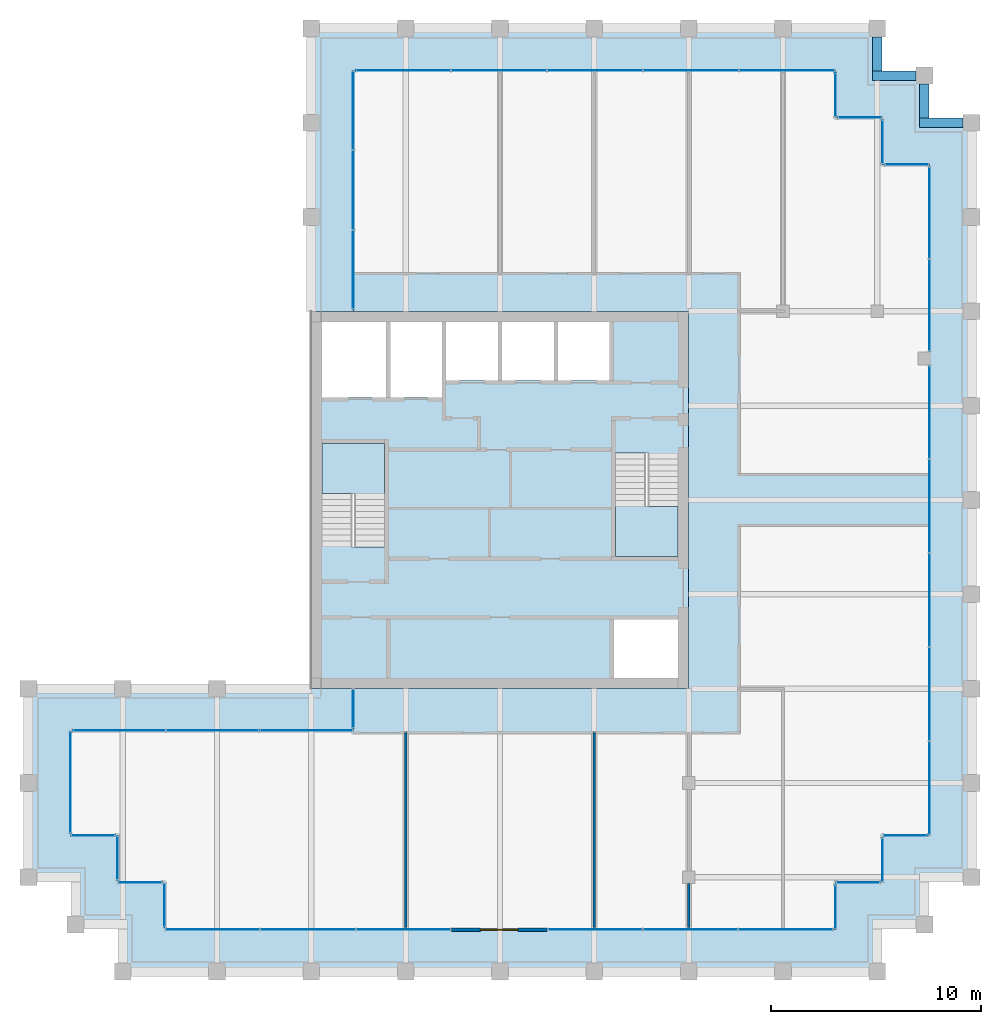
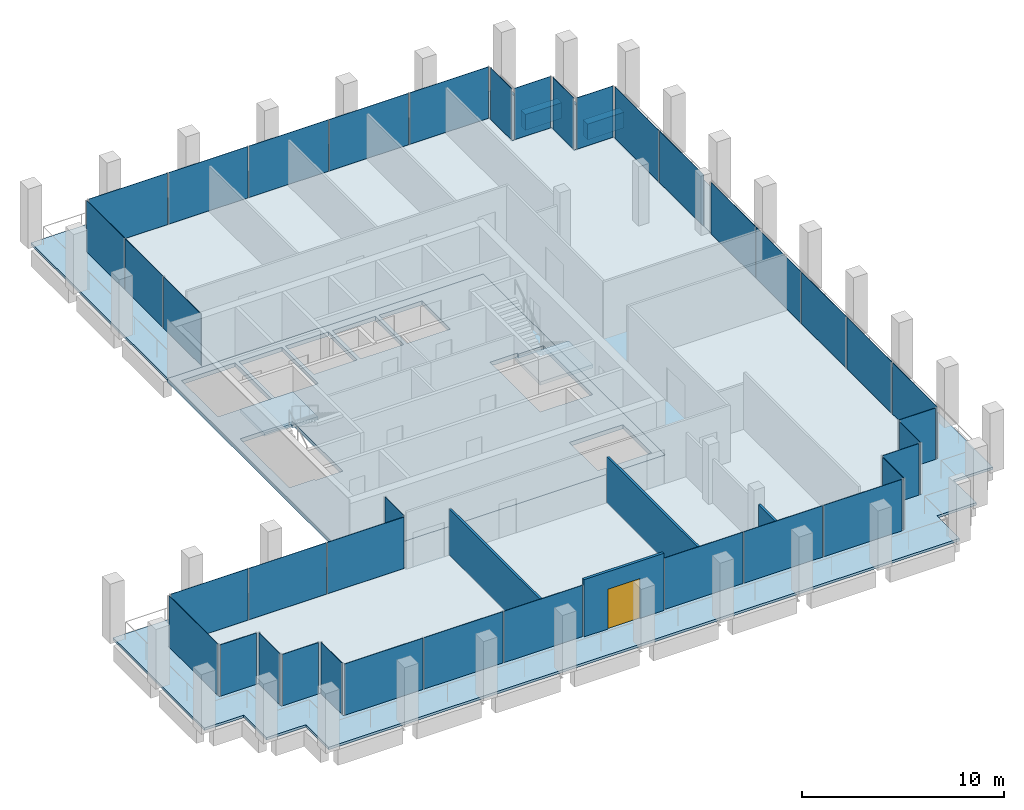
# One storey, part 27 of 30: 38 plates, 5 slabs, 4 beams, 4 walls, 1 door, 1 opening, 23 elements without a shape of their own.
"""IFC4 building model written with IfcOpenShell, lengths in metres."""

from ifc_helpers import new_model, si_unit, direction, frame, frame_2d, origin, origin_2d, place, context, subcontext, project, spatial, polyline, rectangle, outline, extrude, material, layer, layer_set, material_profile, profile_set, type_object, element, fill, aggregate, save


model = new_model("IFC4")

# Units and contexts
model_context = context("Model", 3, precision=1e-05, world=origin(), true_north=direction((0.0, 1.0)))
body_context = subcontext(model_context, "Body", "Model", "MODEL_VIEW")
ifc_project = project(units=[si_unit("LENGTHUNIT", "METRE"), si_unit("AREAUNIT", "SQUARE_METRE"), si_unit("VOLUMEUNIT", "CUBIC_METRE"), si_unit("PLANEANGLEUNIT", "RADIAN"), si_unit("MASSUNIT", "GRAM", prefix="KILO")], contexts=[model_context])

# Site, building, storey
site_placement = place(None, origin())
site = spatial("IfcSite", under=ifc_project, at=site_placement, CompositionType="ELEMENT")
building_placement = place(site_placement, origin())
building = spatial("IfcBuilding", under=site, at=building_placement, Name="Altepetl Exchange Towers", CompositionType="ELEMENT")
storey_placement = place(building_placement, frame((0.0, 0.0, 224.39990234375)))
storey = spatial("IfcBuildingStorey", under=building, at=storey_placement, Name="L57", CompositionType="ELEMENT", Elevation=224.39990234375)

# Beams
ifc_material_1 = material(Name="Concrete C50/60 precast with cantera rosa facing", Category="concrete")
ifc_material_profile = material_profile(ifc_material_1, rectangle(XDim=0.449951171875, YDim=0.949951171875, at=origin_2d()), Name="450 x 950")
ifc_profile_set = profile_set([ifc_material_profile], Name="Concrete C50/60 precast with cantera rosa facing")
beam_type = type_object("IfcBeamType", Name="Spandrel beam 450x950 cantera rosa", PredefinedType="SPANDREL", material=ifc_profile_set)
beam_1_placement = place(storey_placement, frame((71.60009765625, 67.5, -0.625), z_axis=(-1.0, 0.0, 0.0), x_axis=(0.0, -1.0, 0.0)))
element("IfcBeam", 1, at=beam_1_placement, inside=storey, type_object=beam_type, Name="sp:A:L57:020", PredefinedType="SPANDREL", context=body_context, shape_type="SweptSolid", body=[
    extrude(rectangle(XDim=0.449951171875, YDim=0.949951171875, at=origin_2d()), origin(), (0.0, 0.0, 1.0), 2.0751953125),
])
beam_2_placement = place(storey_placement, frame((69.75, 67.72509765625, -0.625), z_axis=(0.0, 1.0, 0.0), x_axis=(-1.0, 0.0, 0.0)))
element("IfcBeam", 2, at=beam_2_placement, inside=storey, type_object=beam_type, Name="sp:A:L57:021", PredefinedType="SPANDREL", context=body_context, shape_type="SweptSolid", body=[
    extrude(rectangle(XDim=0.449951171875, YDim=0.949951171875, at=origin_2d()), origin(), (0.0, 0.0, 1.0), 1.625),
])
beam_3_placement = place(storey_placement, frame((69.35009765625, 69.75, -0.625), z_axis=(-1.0, 0.0, 0.0), x_axis=(0.0, -1.0, 0.0)))
element("IfcBeam", 3, at=beam_3_placement, inside=storey, type_object=beam_type, Name="sp:A:L57:022", PredefinedType="SPANDREL", context=body_context, shape_type="SweptSolid", body=[
    extrude(rectangle(XDim=0.449951171875, YDim=0.949951171875, at=origin_2d()), origin(), (0.0, 0.0, 1.0), 2.0751953125),
])
beam_4_placement = place(storey_placement, frame((67.5, 69.97509765625, -0.625), z_axis=(0.0, 1.0, 0.0), x_axis=(-1.0, 0.0, 0.0)))
element("IfcBeam", 4, at=beam_4_placement, inside=storey, type_object=beam_type, Name="sp:A:L57:023", PredefinedType="SPANDREL", context=body_context, shape_type="SweptSolid", body=[
    extrude(rectangle(XDim=0.449951171875, YDim=0.949951171875, at=origin_2d()), origin(), (0.0, 0.0, 1.0), 1.625),
])

# Slabs
ifc_material_2 = material(Name="Concrete C40/50", Category="concrete")
ifc_layer_1 = layer(ifc_material_2, 0.14990234375)
ifc_layer_set_1 = layer_set([ifc_layer_1], Name="Concrete C40/50")
slab_type_1 = type_object("IfcSlabType", Name="Composite floor slab 150", PredefinedType="FLOOR", material=ifc_layer_set_1)
slab_1_placement = place(storey_placement, frame((0.0, 0.0, -0.14990234375)))
element("IfcSlab", 5, at=slab_1_placement, inside=storey, type_object=slab_type_1, Name="slab:A:L57:strip0", PredefinedType="FLOOR", context=body_context, shape_type="SweptSolid", body=[
    extrude(outline(polyline([(42.5, 70.0), (42.5, 58.5), (58.5, 58.5), (58.5, 40.5), (42.5, 40.5), (42.5, 38.5), (29.0, 38.5), (29.0, 33.5), (31.25, 33.5), (31.25, 31.25), (33.5, 31.25), (33.5, 29.0), (65.5, 29.0), (65.5, 31.25), (67.75, 31.25), (67.75, 33.5), (70.0, 33.5), (70.0, 65.5), (67.75, 65.5), (67.75, 67.75), (65.5, 67.75), (65.5, 70.0), (42.5, 70.0)])), origin(), (0.0, 0.0, 1.0), 0.14990234375),
])
ifc_layer_2 = layer(ifc_material_2, 0.25)
ifc_layer_set_2 = layer_set([ifc_layer_2], Name="Concrete C40/50")
slab_type_2 = type_object("IfcSlabType", Name="Core floor slab 250", PredefinedType="FLOOR", material=ifc_layer_set_2)
slab_2_placement = place(storey_placement, frame((0.0, 0.0, -0.25)))
element("IfcSlab", 6, at=slab_2_placement, inside=storey, type_object=slab_type_2, Name="slab:A:L57:core0", PredefinedType="FLOOR", context=body_context, shape_type="SweptSolid", body=[
    extrude(outline(polyline([(40.5, 40.5), (58.5, 40.5), (58.5, 58.5), (40.5, 58.5), (40.5, 40.5)]), holes=[polyline([(54.93310546875, 43.800048828125), (58.0, 43.800048828125), (58.0, 41.0), (54.93310546875, 41.0), (54.93310546875, 43.800048828125)]), polyline([(55.0, 51.7490234375), (56.550048828125, 51.7490234375), (56.550048828125, 51.64990234375), (58.0, 51.64990234375), (58.0, 46.800048828125), (55.0, 46.800048828125), (55.0, 51.7490234375)]), polyline([(44.0, 47.2509765625), (42.449951171875, 47.2509765625), (42.449951171875, 47.35009765625), (41.0, 47.35009765625), (41.0, 52.199951171875), (44.0, 52.199951171875), (44.0, 47.2509765625)]), polyline([(41.0, 58.0), (44.06689453125, 58.0), (44.06689453125, 54.39990234375), (41.0, 54.39990234375), (41.0, 58.0)]), polyline([(44.26708984375, 58.0), (46.73291015625, 58.0), (46.73291015625, 54.39990234375), (44.26708984375, 54.39990234375), (44.26708984375, 58.0)]), polyline([(46.93310546875, 58.0), (49.39990234375, 58.0), (49.39990234375, 55.199951171875), (46.93310546875, 55.199951171875), (46.93310546875, 58.0)]), polyline([(49.60009765625, 58.0), (52.06689453125, 58.0), (52.06689453125, 55.199951171875), (49.60009765625, 55.199951171875), (49.60009765625, 58.0)]), polyline([(52.26708984375, 58.0), (54.73291015625, 58.0), (54.73291015625, 55.199951171875), (52.26708984375, 55.199951171875), (52.26708984375, 58.0)])]), origin(), (0.0, 0.0, 1.0), 0.25),
])

# Curtain wall, plate
ifc_material_3 = material(Name="Aluminium 6063-T6 glazing", Category="aluminium")
curtain_wall_type = type_object("IfcCurtainWallType", Name="Loggia glazing system", PredefinedType="NOTDEFINED", material=ifc_material_3)
curtain_wall_1_placement = place(storey_placement, origin())
curtain_wall_1 = element("IfcCurtainWall", 7, at=curtain_wall_1_placement, inside=storey, type_object=curtain_wall_type, Name="CW1 run", PredefinedType="NOTDEFINED")
ifc_material_4 = material(Name="Glass 6-16-6 low emissivity", Category="glass")
ifc_layer_3 = layer(ifc_material_4, 0.028076171875)
ifc_layer_set_3 = layer_set([ifc_layer_3], Name="Glass 6-16-6 low emissivity")
plate_type = type_object("IfcPlateType", Name="Glass panel 28 double glazed", PredefinedType="CURTAIN_PANEL", material=ifc_layer_set_3)
plate_1_placement = place(storey_placement, frame((42.5, 39.53759765625, 0.0), z_axis=(0.0, 0.0, 1.0), x_axis=(0.0, -1.0, 0.0)))
plate_1 = element("IfcPlate", 8, at=plate_1_placement, type_object=plate_type, Name="GP1 panel", PredefinedType="CURTAIN_PANEL", context=body_context, shape_type="SweptSolid", body=[
    extrude(rectangle(XDim=1.804931640625, YDim=0.028076171875, at=origin_2d()), origin(), (0.0, 0.0, 1.0), 3.10009765625),
])
aggregate(curtain_wall_1, [plate_1])

# Curtain wall, plates
curtain_wall_2_placement = place(storey_placement, origin())
curtain_wall_2 = element("IfcCurtainWall", 9, at=curtain_wall_2_placement, inside=storey, type_object=curtain_wall_type, Name="CW1 run", PredefinedType="NOTDEFINED")
plate_2_placement = place(storey_placement, frame((40.24755859375, 38.5, 0.0), z_axis=(0.0, 0.0, 1.0), x_axis=(-1.0, 0.0, 0.0)))
plate_2 = element("IfcPlate", 10, at=plate_2_placement, type_object=plate_type, Name="GP1 panel", PredefinedType="CURTAIN_PANEL", context=body_context, shape_type="SweptSolid", body=[
    extrude(rectangle(XDim=4.385009765625, YDim=0.028076171875, at=origin_2d()), origin(), (0.0, 0.0, 1.0), 3.10009765625),
])
plate_3_placement = place(storey_placement, frame((35.78759765625, 38.5, 0.0), z_axis=(0.0, 0.0, 1.0), x_axis=(-1.0, 0.0, 0.0)))
plate_3 = element("IfcPlate", 11, at=plate_3_placement, type_object=plate_type, Name="GP1 panel", PredefinedType="CURTAIN_PANEL", context=body_context, shape_type="SweptSolid", body=[
    extrude(rectangle(XDim=4.4150390625, YDim=0.028076171875, at=origin_2d()), origin(), (0.0, 0.0, 1.0), 3.10009765625),
])
plate_4_placement = place(storey_placement, frame((31.327392578125, 38.5, 0.0), z_axis=(0.0, 0.0, 1.0), x_axis=(-1.0, 0.0, 0.0)))
plate_4 = element("IfcPlate", 12, at=plate_4_placement, type_object=plate_type, Name="GP1 panel", PredefinedType="CURTAIN_PANEL", context=body_context, shape_type="SweptSolid", body=[
    extrude(rectangle(XDim=4.385009765625, YDim=0.028076171875, at=origin_2d()), origin(), (0.0, 0.0, 1.0), 3.10009765625),
])
aggregate(curtain_wall_2, [plate_2, plate_3, plate_4])

# Curtain wall, plate
curtain_wall_3_placement = place(storey_placement, origin())
curtain_wall_3 = element("IfcCurtainWall", 13, at=curtain_wall_3_placement, inside=storey, type_object=curtain_wall_type, Name="CW1 run", PredefinedType="NOTDEFINED")
plate_5_placement = place(storey_placement, frame((29.0, 36.03759765625, 0.0), z_axis=(0.0, 0.0, 1.0), x_axis=(0.0, -1.0, 0.0)))
plate_5 = element("IfcPlate", 14, at=plate_5_placement, type_object=plate_type, Name="GP1 panel", PredefinedType="CURTAIN_PANEL", context=body_context, shape_type="SweptSolid", body=[
    extrude(rectangle(XDim=4.804931640625, YDim=0.028076171875, at=origin_2d()), origin(), (0.0, 0.0, 1.0), 3.10009765625),
])
aggregate(curtain_wall_3, [plate_5])

curtain_wall_4_placement = place(storey_placement, origin())
curtain_wall_4 = element("IfcCurtainWall", 15, at=curtain_wall_4_placement, inside=storey, type_object=curtain_wall_type, Name="CW1 run", PredefinedType="NOTDEFINED")
plate_6_placement = place(storey_placement, frame((30.08740234375, 33.5, 0.0)))
plate_6 = element("IfcPlate", 16, at=plate_6_placement, type_object=plate_type, Name="GP1 panel", PredefinedType="CURTAIN_PANEL", context=body_context, shape_type="SweptSolid", body=[
    extrude(rectangle(XDim=2.054931640625, YDim=0.028076171875, at=origin_2d()), origin(), (0.0, 0.0, 1.0), 3.10009765625),
])
aggregate(curtain_wall_4, [plate_6])

curtain_wall_5_placement = place(storey_placement, origin())
curtain_wall_5 = element("IfcCurtainWall", 17, at=curtain_wall_5_placement, inside=storey, type_object=curtain_wall_type, Name="CW1 run", PredefinedType="NOTDEFINED")
plate_7_placement = place(storey_placement, frame((31.25, 32.41259765625, 0.0), z_axis=(0.0, 0.0, 1.0), x_axis=(0.0, -1.0, 0.0)))
plate_7 = element("IfcPlate", 18, at=plate_7_placement, type_object=plate_type, Name="GP1 panel", PredefinedType="CURTAIN_PANEL", context=body_context, shape_type="SweptSolid", body=[
    extrude(rectangle(XDim=2.054931640625, YDim=0.028076171875, at=origin_2d()), origin(), (0.0, 0.0, 1.0), 3.10009765625),
])
aggregate(curtain_wall_5, [plate_7])

curtain_wall_6_placement = place(storey_placement, origin())
curtain_wall_6 = element("IfcCurtainWall", 19, at=curtain_wall_6_placement, inside=storey, type_object=curtain_wall_type, Name="CW1 run", PredefinedType="NOTDEFINED")
plate_8_placement = place(storey_placement, frame((32.33740234375, 31.25, 0.0)))
plate_8 = element("IfcPlate", 20, at=plate_8_placement, type_object=plate_type, Name="GP1 panel", PredefinedType="CURTAIN_PANEL", context=body_context, shape_type="SweptSolid", body=[
    extrude(rectangle(XDim=2.054931640625, YDim=0.028076171875, at=origin_2d()), origin(), (0.0, 0.0, 1.0), 3.10009765625),
])
aggregate(curtain_wall_6, [plate_8])

curtain_wall_7_placement = place(storey_placement, origin())
curtain_wall_7 = element("IfcCurtainWall", 21, at=curtain_wall_7_placement, inside=storey, type_object=curtain_wall_type, Name="CW1 run", PredefinedType="NOTDEFINED")
plate_9_placement = place(storey_placement, frame((33.5, 30.16259765625, 0.0), z_axis=(0.0, 0.0, 1.0), x_axis=(0.0, -1.0, 0.0)))
plate_9 = element("IfcPlate", 22, at=plate_9_placement, type_object=plate_type, Name="GP1 panel", PredefinedType="CURTAIN_PANEL", context=body_context, shape_type="SweptSolid", body=[
    extrude(rectangle(XDim=2.054931640625, YDim=0.028076171875, at=origin_2d()), origin(), (0.0, 0.0, 1.0), 3.10009765625),
])
aggregate(curtain_wall_7, [plate_9])

# Curtain wall, plates
curtain_wall_8_placement = place(storey_placement, origin())
curtain_wall_8 = element("IfcCurtainWall", 23, at=curtain_wall_8_placement, inside=storey, type_object=curtain_wall_type, Name="CW1 run", PredefinedType="NOTDEFINED")
plate_10_placement = place(storey_placement, frame((35.79541015625, 29.0, 0.0)))
plate_10 = element("IfcPlate", 24, at=plate_10_placement, type_object=plate_type, Name="GP1 panel", PredefinedType="CURTAIN_PANEL", context=body_context, shape_type="SweptSolid", body=[
    extrude(rectangle(XDim=4.470703125, YDim=0.028076171875, at=origin_2d()), origin(), (0.0, 0.0, 1.0), 3.10009765625),
])
plate_11_placement = place(storey_placement, frame((40.341064453125, 29.0, 0.0)))
plate_11 = element("IfcPlate", 25, at=plate_11_placement, type_object=plate_type, Name="GP1 panel", PredefinedType="CURTAIN_PANEL", context=body_context, shape_type="SweptSolid", body=[
    extrude(rectangle(XDim=4.500732421875, YDim=0.028076171875, at=origin_2d()), origin(), (0.0, 0.0, 1.0), 3.10009765625),
])
plate_12_placement = place(storey_placement, frame((44.88671875, 29.0, 0.0)))
plate_12 = element("IfcPlate", 26, at=plate_12_placement, type_object=plate_type, Name="GP1 panel", PredefinedType="CURTAIN_PANEL", context=body_context, shape_type="SweptSolid", body=[
    extrude(rectangle(XDim=4.470703125, YDim=0.028076171875, at=origin_2d()), origin(), (0.0, 0.0, 1.0), 3.10009765625),
])
aggregate(curtain_wall_8, [plate_10, plate_11, plate_12])

curtain_wall_9_placement = place(storey_placement, origin())
curtain_wall_9 = element("IfcCurtainWall", 27, at=curtain_wall_9_placement, inside=storey, type_object=curtain_wall_type, Name="CW1 run", PredefinedType="NOTDEFINED")
plate_13_placement = place(storey_placement, frame((54.038330078125, 29.0, 0.0)))
plate_13 = element("IfcPlate", 28, at=plate_13_placement, type_object=plate_type, Name="GP1 panel", PredefinedType="CURTAIN_PANEL", context=body_context, shape_type="SweptSolid", body=[
    extrude(rectangle(XDim=4.470703125, YDim=0.028076171875, at=origin_2d()), origin(), (0.0, 0.0, 1.0), 3.10009765625),
])
plate_14_placement = place(storey_placement, frame((58.583984375, 29.0, 0.0)))
plate_14 = element("IfcPlate", 29, at=plate_14_placement, type_object=plate_type, Name="GP1 panel", PredefinedType="CURTAIN_PANEL", context=body_context, shape_type="SweptSolid", body=[
    extrude(rectangle(XDim=4.500732421875, YDim=0.028076171875, at=origin_2d()), origin(), (0.0, 0.0, 1.0), 3.10009765625),
])
plate_15_placement = place(storey_placement, frame((63.129638671875, 29.0, 0.0)))
plate_15 = element("IfcPlate", 30, at=plate_15_placement, type_object=plate_type, Name="GP1 panel", PredefinedType="CURTAIN_PANEL", context=body_context, shape_type="SweptSolid", body=[
    extrude(rectangle(XDim=4.470703125, YDim=0.028076171875, at=origin_2d()), origin(), (0.0, 0.0, 1.0), 3.10009765625),
])
aggregate(curtain_wall_9, [plate_13, plate_14, plate_15])

# Curtain wall, plate
curtain_wall_10_placement = place(storey_placement, origin())
curtain_wall_10 = element("IfcCurtainWall", 31, at=curtain_wall_10_placement, inside=storey, type_object=curtain_wall_type, Name="CW1 run", PredefinedType="NOTDEFINED")
plate_16_placement = place(storey_placement, frame((65.5, 30.08740234375, 0.0), z_axis=(0.0, 0.0, 1.0), x_axis=(0.0, 1.0, 0.0)))
plate_16 = element("IfcPlate", 32, at=plate_16_placement, type_object=plate_type, Name="GP1 panel", PredefinedType="CURTAIN_PANEL", context=body_context, shape_type="SweptSolid", body=[
    extrude(rectangle(XDim=2.054931640625, YDim=0.028076171875, at=origin_2d()), origin(), (0.0, 0.0, 1.0), 3.10009765625),
])
aggregate(curtain_wall_10, [plate_16])

curtain_wall_11_placement = place(storey_placement, origin())
curtain_wall_11 = element("IfcCurtainWall", 33, at=curtain_wall_11_placement, inside=storey, type_object=curtain_wall_type, Name="CW1 run", PredefinedType="NOTDEFINED")
plate_17_placement = place(storey_placement, frame((66.58740234375, 31.25, 0.0)))
plate_17 = element("IfcPlate", 34, at=plate_17_placement, type_object=plate_type, Name="GP1 panel", PredefinedType="CURTAIN_PANEL", context=body_context, shape_type="SweptSolid", body=[
    extrude(rectangle(XDim=2.054931640625, YDim=0.028076171875, at=origin_2d()), origin(), (0.0, 0.0, 1.0), 3.10009765625),
])
aggregate(curtain_wall_11, [plate_17])

curtain_wall_12_placement = place(storey_placement, origin())
curtain_wall_12 = element("IfcCurtainWall", 35, at=curtain_wall_12_placement, inside=storey, type_object=curtain_wall_type, Name="CW1 run", PredefinedType="NOTDEFINED")
plate_18_placement = place(storey_placement, frame((67.75, 32.33740234375, 0.0), z_axis=(0.0, 0.0, 1.0), x_axis=(0.0, 1.0, 0.0)))
plate_18 = element("IfcPlate", 36, at=plate_18_placement, type_object=plate_type, Name="GP1 panel", PredefinedType="CURTAIN_PANEL", context=body_context, shape_type="SweptSolid", body=[
    extrude(rectangle(XDim=2.054931640625, YDim=0.028076171875, at=origin_2d()), origin(), (0.0, 0.0, 1.0), 3.10009765625),
])
aggregate(curtain_wall_12, [plate_18])

curtain_wall_13_placement = place(storey_placement, origin())
curtain_wall_13 = element("IfcCurtainWall", 37, at=curtain_wall_13_placement, inside=storey, type_object=curtain_wall_type, Name="CW1 run", PredefinedType="NOTDEFINED")
plate_19_placement = place(storey_placement, frame((68.83740234375, 33.5, 0.0)))
plate_19 = element("IfcPlate", 38, at=plate_19_placement, type_object=plate_type, Name="GP1 panel", PredefinedType="CURTAIN_PANEL", context=body_context, shape_type="SweptSolid", body=[
    extrude(rectangle(XDim=2.054931640625, YDim=0.028076171875, at=origin_2d()), origin(), (0.0, 0.0, 1.0), 3.10009765625),
])
aggregate(curtain_wall_13, [plate_19])

# Curtain wall, plates
curtain_wall_14_placement = place(storey_placement, origin())
curtain_wall_14 = element("IfcCurtainWall", 39, at=curtain_wall_14_placement, inside=storey, type_object=curtain_wall_type, Name="CW1 run", PredefinedType="NOTDEFINED")
plate_20_placement = place(storey_placement, frame((70.0, 35.758056640625, 0.0), z_axis=(0.0, 0.0, 1.0), x_axis=(0.0, 1.0, 0.0)))
plate_20 = element("IfcPlate", 40, at=plate_20_placement, type_object=plate_type, Name="GP1 panel", PredefinedType="CURTAIN_PANEL", context=body_context, shape_type="SweptSolid", body=[
    extrude(rectangle(XDim=4.39599609375, YDim=0.028076171875, at=origin_2d()), origin(), (0.0, 0.0, 1.0), 3.10009765625),
])
plate_21_placement = place(storey_placement, frame((70.0, 40.22900390625, 0.0), z_axis=(0.0, 0.0, 1.0), x_axis=(0.0, 1.0, 0.0)))
plate_21 = element("IfcPlate", 41, at=plate_21_placement, type_object=plate_type, Name="GP1 panel", PredefinedType="CURTAIN_PANEL", context=body_context, shape_type="SweptSolid", body=[
    extrude(rectangle(XDim=4.426025390625, YDim=0.028076171875, at=origin_2d()), origin(), (0.0, 0.0, 1.0), 3.10009765625),
])
plate_22_placement = place(storey_placement, frame((70.0, 44.715087890625, 0.0), z_axis=(0.0, 0.0, 1.0), x_axis=(0.0, 1.0, 0.0)))
plate_22 = element("IfcPlate", 42, at=plate_22_placement, type_object=plate_type, Name="GP1 panel", PredefinedType="CURTAIN_PANEL", context=body_context, shape_type="SweptSolid", body=[
    extrude(rectangle(XDim=4.426025390625, YDim=0.028076171875, at=origin_2d()), origin(), (0.0, 0.0, 1.0), 3.10009765625),
])
plate_23_placement = place(storey_placement, frame((70.0, 49.200927734375, 0.0), z_axis=(0.0, 0.0, 1.0), x_axis=(0.0, 1.0, 0.0)))
plate_23 = element("IfcPlate", 43, at=plate_23_placement, type_object=plate_type, Name="GP1 panel", PredefinedType="CURTAIN_PANEL", context=body_context, shape_type="SweptSolid", body=[
    extrude(rectangle(XDim=4.426025390625, YDim=0.028076171875, at=origin_2d()), origin(), (0.0, 0.0, 1.0), 3.10009765625),
])
plate_24_placement = place(storey_placement, frame((70.0, 53.672119140625, 0.0), z_axis=(0.0, 0.0, 1.0), x_axis=(0.0, 1.0, 0.0)))
plate_24 = element("IfcPlate", 44, at=plate_24_placement, type_object=plate_type, Name="GP1 panel", PredefinedType="CURTAIN_PANEL", context=body_context, shape_type="SweptSolid", body=[
    extrude(rectangle(XDim=4.39599609375, YDim=0.028076171875, at=origin_2d()), origin(), (0.0, 0.0, 1.0), 3.10009765625),
])
aggregate(curtain_wall_14, [plate_20, plate_21, plate_22, plate_23, plate_24])

curtain_wall_15_placement = place(storey_placement, origin())
curtain_wall_15 = element("IfcCurtainWall", 45, at=curtain_wall_15_placement, inside=storey, type_object=curtain_wall_type, Name="CW1 run", PredefinedType="NOTDEFINED")
plate_25_placement = place(storey_placement, frame((70.0, 58.798828125, 0.0), z_axis=(0.0, 0.0, 1.0), x_axis=(0.0, 1.0, 0.0)))
plate_25 = element("IfcPlate", 46, at=plate_25_placement, type_object=plate_type, Name="GP1 panel", PredefinedType="CURTAIN_PANEL", context=body_context, shape_type="SweptSolid", body=[
    extrude(rectangle(XDim=4.33740234375, YDim=0.028076171875, at=origin_2d()), origin(), (0.0, 0.0, 1.0), 3.10009765625),
])
plate_26_placement = place(storey_placement, frame((70.0, 63.1962890625, 0.0), z_axis=(0.0, 0.0, 1.0), x_axis=(0.0, 1.0, 0.0)))
plate_26 = element("IfcPlate", 47, at=plate_26_placement, type_object=plate_type, Name="GP1 panel", PredefinedType="CURTAIN_PANEL", context=body_context, shape_type="SweptSolid", body=[
    extrude(rectangle(XDim=4.33740234375, YDim=0.028076171875, at=origin_2d()), origin(), (0.0, 0.0, 1.0), 3.10009765625),
])
aggregate(curtain_wall_15, [plate_25, plate_26])

# Curtain wall, plate
curtain_wall_16_placement = place(storey_placement, origin())
curtain_wall_16 = element("IfcCurtainWall", 48, at=curtain_wall_16_placement, inside=storey, type_object=curtain_wall_type, Name="CW1 run", PredefinedType="NOTDEFINED")
plate_27_placement = place(storey_placement, frame((68.91259765625, 65.5, 0.0), z_axis=(0.0, 0.0, 1.0), x_axis=(-1.0, 0.0, 0.0)))
plate_27 = element("IfcPlate", 49, at=plate_27_placement, type_object=plate_type, Name="GP1 panel", PredefinedType="CURTAIN_PANEL", context=body_context, shape_type="SweptSolid", body=[
    extrude(rectangle(XDim=2.054931640625, YDim=0.028076171875, at=origin_2d()), origin(), (0.0, 0.0, 1.0), 3.10009765625),
])
aggregate(curtain_wall_16, [plate_27])

curtain_wall_17_placement = place(storey_placement, origin())
curtain_wall_17 = element("IfcCurtainWall", 50, at=curtain_wall_17_placement, inside=storey, type_object=curtain_wall_type, Name="CW1 run", PredefinedType="NOTDEFINED")
plate_28_placement = place(storey_placement, frame((67.75, 66.58740234375, 0.0), z_axis=(0.0, 0.0, 1.0), x_axis=(0.0, 1.0, 0.0)))
plate_28 = element("IfcPlate", 51, at=plate_28_placement, type_object=plate_type, Name="GP1 panel", PredefinedType="CURTAIN_PANEL", context=body_context, shape_type="SweptSolid", body=[
    extrude(rectangle(XDim=2.054931640625, YDim=0.028076171875, at=origin_2d()), origin(), (0.0, 0.0, 1.0), 3.10009765625),
])
aggregate(curtain_wall_17, [plate_28])

curtain_wall_18_placement = place(storey_placement, origin())
curtain_wall_18 = element("IfcCurtainWall", 52, at=curtain_wall_18_placement, inside=storey, type_object=curtain_wall_type, Name="CW1 run", PredefinedType="NOTDEFINED")
plate_29_placement = place(storey_placement, frame((66.66259765625, 67.75, 0.0), z_axis=(0.0, 0.0, 1.0), x_axis=(-1.0, 0.0, 0.0)))
plate_29 = element("IfcPlate", 53, at=plate_29_placement, type_object=plate_type, Name="GP1 panel", PredefinedType="CURTAIN_PANEL", context=body_context, shape_type="SweptSolid", body=[
    extrude(rectangle(XDim=2.054931640625, YDim=0.028076171875, at=origin_2d()), origin(), (0.0, 0.0, 1.0), 3.10009765625),
])
aggregate(curtain_wall_18, [plate_29])

curtain_wall_19_placement = place(storey_placement, origin())
curtain_wall_19 = element("IfcCurtainWall", 54, at=curtain_wall_19_placement, inside=storey, type_object=curtain_wall_type, Name="CW1 run", PredefinedType="NOTDEFINED")
plate_30_placement = place(storey_placement, frame((65.5, 68.83740234375, 0.0), z_axis=(0.0, 0.0, 1.0), x_axis=(0.0, 1.0, 0.0)))
plate_30 = element("IfcPlate", 55, at=plate_30_placement, type_object=plate_type, Name="GP1 panel", PredefinedType="CURTAIN_PANEL", context=body_context, shape_type="SweptSolid", body=[
    extrude(rectangle(XDim=2.054931640625, YDim=0.028076171875, at=origin_2d()), origin(), (0.0, 0.0, 1.0), 3.10009765625),
])
aggregate(curtain_wall_19, [plate_30])

# Curtain wall, plates
curtain_wall_20_placement = place(storey_placement, origin())
curtain_wall_20 = element("IfcCurtainWall", 56, at=curtain_wall_20_placement, inside=storey, type_object=curtain_wall_type, Name="CW1 run", PredefinedType="NOTDEFINED")
plate_31_placement = place(storey_placement, frame((63.1923828125, 70.0, 0.0), z_axis=(0.0, 0.0, 1.0), x_axis=(-1.0, 0.0, 0.0)))
plate_31 = element("IfcPlate", 57, at=plate_31_placement, type_object=plate_type, Name="GP1 panel", PredefinedType="CURTAIN_PANEL", context=body_context, shape_type="SweptSolid", body=[
    extrude(rectangle(XDim=4.4951171875, YDim=0.028076171875, at=origin_2d()), origin(), (0.0, 0.0, 1.0), 3.10009765625),
])
plate_32_placement = place(storey_placement, frame((58.62255859375, 70.0, 0.0), z_axis=(0.0, 0.0, 1.0), x_axis=(-1.0, 0.0, 0.0)))
plate_32 = element("IfcPlate", 58, at=plate_32_placement, type_object=plate_type, Name="GP1 panel", PredefinedType="CURTAIN_PANEL", context=body_context, shape_type="SweptSolid", body=[
    extrude(rectangle(XDim=4.52490234375, YDim=0.028076171875, at=origin_2d()), origin(), (0.0, 0.0, 1.0), 3.10009765625),
])
plate_33_placement = place(storey_placement, frame((54.03759765625, 70.0, 0.0), z_axis=(0.0, 0.0, 1.0), x_axis=(-1.0, 0.0, 0.0)))
plate_33 = element("IfcPlate", 59, at=plate_33_placement, type_object=plate_type, Name="GP1 panel", PredefinedType="CURTAIN_PANEL", context=body_context, shape_type="SweptSolid", body=[
    extrude(rectangle(XDim=4.52490234375, YDim=0.028076171875, at=origin_2d()), origin(), (0.0, 0.0, 1.0), 3.10009765625),
])
plate_34_placement = place(storey_placement, frame((49.452392578125, 70.0, 0.0), z_axis=(0.0, 0.0, 1.0), x_axis=(-1.0, 0.0, 0.0)))
plate_34 = element("IfcPlate", 60, at=plate_34_placement, type_object=plate_type, Name="GP1 panel", PredefinedType="CURTAIN_PANEL", context=body_context, shape_type="SweptSolid", body=[
    extrude(rectangle(XDim=4.52490234375, YDim=0.028076171875, at=origin_2d()), origin(), (0.0, 0.0, 1.0), 3.10009765625),
])
plate_35_placement = place(storey_placement, frame((44.882568359375, 70.0, 0.0), z_axis=(0.0, 0.0, 1.0), x_axis=(-1.0, 0.0, 0.0)))
plate_35 = element("IfcPlate", 61, at=plate_35_placement, type_object=plate_type, Name="GP1 panel", PredefinedType="CURTAIN_PANEL", context=body_context, shape_type="SweptSolid", body=[
    extrude(rectangle(XDim=4.4951171875, YDim=0.028076171875, at=origin_2d()), origin(), (0.0, 0.0, 1.0), 3.10009765625),
])
aggregate(curtain_wall_20, [plate_31, plate_32, plate_33, plate_34, plate_35])

curtain_wall_21_placement = place(storey_placement, origin())
curtain_wall_21 = element("IfcCurtainWall", 62, at=curtain_wall_21_placement, inside=storey, type_object=curtain_wall_type, Name="CW1 run", PredefinedType="NOTDEFINED")
plate_36_placement = place(storey_placement, frame((42.5, 68.080810546875, 0.0), z_axis=(0.0, 0.0, 1.0), x_axis=(0.0, -1.0, 0.0)))
plate_36 = element("IfcPlate", 63, at=plate_36_placement, type_object=plate_type, Name="GP1 panel", PredefinedType="CURTAIN_PANEL", context=body_context, shape_type="SweptSolid", body=[
    extrude(rectangle(XDim=3.71826171875, YDim=0.028076171875, at=origin_2d()), origin(), (0.0, 0.0, 1.0), 3.10009765625),
])
plate_37_placement = place(storey_placement, frame((42.5, 64.28759765625, 0.0), z_axis=(0.0, 0.0, 1.0), x_axis=(0.0, -1.0, 0.0)))
plate_37 = element("IfcPlate", 64, at=plate_37_placement, type_object=plate_type, Name="GP1 panel", PredefinedType="CURTAIN_PANEL", context=body_context, shape_type="SweptSolid", body=[
    extrude(rectangle(XDim=3.748291015625, YDim=0.028076171875, at=origin_2d()), origin(), (0.0, 0.0, 1.0), 3.10009765625),
])
plate_38_placement = place(storey_placement, frame((42.5, 60.494140625, 0.0), z_axis=(0.0, 0.0, 1.0), x_axis=(0.0, -1.0, 0.0)))
plate_38 = element("IfcPlate", 65, at=plate_38_placement, type_object=plate_type, Name="GP1 panel", PredefinedType="CURTAIN_PANEL", context=body_context, shape_type="SweptSolid", body=[
    extrude(rectangle(XDim=3.71826171875, YDim=0.028076171875, at=origin_2d()), origin(), (0.0, 0.0, 1.0), 3.10009765625),
])
aggregate(curtain_wall_21, [plate_36, plate_37, plate_38])

# Slab
ifc_layer_4 = layer(ifc_material_2, 0.14990234375)
ifc_layer_set_4 = layer_set([ifc_layer_4], Name="Concrete C40/50")
slab_type_3 = type_object("IfcSlabType", Name="Loggia slab 150", PredefinedType="FLOOR", material=ifc_layer_set_4)
slab_3_placement = place(storey_placement, frame((0.0, 0.0, -0.14990234375)))
element("IfcSlab", 66, at=slab_3_placement, inside=storey, type_object=slab_type_3, Name="slab:A:L57:loggia0", PredefinedType="FLOOR", context=body_context, shape_type="SweptSolid", body=[
    extrude(outline(polyline([(40.5, 72.0), (40.5, 58.5), (42.5, 58.5), (42.5, 70.0), (65.5, 70.0), (65.5, 67.75), (67.75, 67.75), (67.75, 65.5), (70.0, 65.5), (70.0, 33.5), (67.75, 33.5), (67.75, 31.25), (65.5, 31.25), (65.5, 29.0), (33.5, 29.0), (33.5, 31.25), (31.25, 31.25), (31.25, 33.5), (29.0, 33.5), (29.0, 38.5), (42.5, 38.5), (42.5, 40.5), (40.5, 40.5), (27.0, 40.5), (27.0, 31.5), (29.25, 31.5), (29.25, 29.25), (31.5, 29.25), (31.5, 27.0), (58.5, 27.0), (67.5, 27.0), (67.5, 29.25), (69.75, 29.25), (69.75, 31.5), (72.0, 31.5), (72.0, 58.5), (72.0, 67.5), (69.75, 67.5), (69.75, 69.75), (67.5, 69.75), (67.5, 72.0), (40.5, 72.0)])), origin(), (0.0, 0.0, 1.0), 0.14990234375),
])

# Stair, slab
stair_type = type_object("IfcStairType", Name="Exit stair 1450 flights dogleg", PredefinedType="HALF_TURN_STAIR", material=ifc_material_2)
stair_1_placement = place(storey_placement, origin())
stair_1 = element("IfcStair", 67, at=stair_1_placement, inside=storey, type_object=stair_type, Name="Exit stair 1", PredefinedType="HALF_TURN_STAIR")
ifc_layer_5 = layer(ifc_material_2, 0.199951171875)
ifc_layer_set_5 = layer_set([ifc_layer_5], Name="Concrete C40/50")
slab_type_4 = type_object("IfcSlabType", Name="Stair landing 200 reinforced concrete", PredefinedType="LANDING", material=ifc_layer_set_5)
slab_4_placement = place(storey_placement, frame((0.0, 0.0, 1.60009765625)))
slab_4 = element("IfcSlab", 68, at=slab_4_placement, type_object=slab_type_4, Name="ST-A1f landing 1", PredefinedType="LANDING", context=body_context, shape_type="SweptSolid", body=[
    extrude(outline(polyline([(44.0, 49.715087890625), (42.550048828125, 49.715087890625), (42.550048828125, 49.81494140625), (42.449951171875, 49.81494140625), (42.449951171875, 49.814208984375), (41.0, 49.814208984375), (41.0, 49.81494140625), (41.0, 52.199951171875), (44.0, 52.199951171875), (44.0, 49.81494140625), (44.0, 49.715087890625)])), origin(), (0.0, 0.0, 1.0), 0.199951171875),
])
aggregate(stair_1, [slab_4])

stair_2_placement = place(storey_placement, origin())
stair_2 = element("IfcStair", 69, at=stair_2_placement, inside=storey, type_object=stair_type, Name="Exit stair 2", PredefinedType="HALF_TURN_STAIR")
slab_5_placement = place(storey_placement, frame((0.0, 0.0, 1.60009765625)))
slab_5 = element("IfcSlab", 70, at=slab_5_placement, type_object=slab_type_4, Name="ST-A2f landing 1", PredefinedType="LANDING", context=body_context, shape_type="SweptSolid", body=[
    extrude(outline(polyline([(58.0, 46.800048828125), (55.0, 46.800048828125), (55.0, 49.18505859375), (55.0, 49.284912109375), (56.449951171875, 49.284912109375), (56.449951171875, 49.18505859375), (56.550048828125, 49.18505859375), (56.550048828125, 49.185791015625), (58.0, 49.185791015625), (58.0, 49.18505859375), (58.0, 46.800048828125)])), origin(), (0.0, 0.0, 1.0), 0.199951171875),
])
aggregate(stair_2, [slab_5])

# Wall, opening, door
ifc_material_5 = material(Name="Aluminium composite cladding", Category="aluminium")
ifc_layer_6 = layer(ifc_material_5, 0.14990234375)
ifc_layer_set_6 = layer_set([ifc_layer_6], Name="Aluminium composite cladding")
wall_type_1 = type_object("IfcWallType", Name="Infill wall 150 aluminium panel", PredefinedType="SOLIDWALL", material=ifc_layer_set_6)
wall_1_placement = place(storey_placement, frame((47.18212890625, 29.0, 0.0)))
wall_1 = element("IfcWall", 71, at=wall_1_placement, inside=storey, type_object=wall_type_1, Name="Loggia door bay wall", PredefinedType="SOLIDWALL", context=body_context, shape_type="SweptSolid", body=[
    extrude(rectangle(XDim=4.560791015625, YDim=0.14990234375, at=frame_2d((2.2802734375, 0.0))), origin(), (0.0, 0.0, 1.0), 3.4501953125),
])
opening_placement = place(wall_1_placement, frame((1.38037109375, 0.0, 0.0)))
opening = element("IfcOpeningElement", 72, at=opening_placement, cuts=wall_1, Name="Opening L57.A90", PredefinedType="OPENING", context=body_context, shape_type="SweptSolid", body=[
    extrude(rectangle(XDim=1.800048828125, YDim=2.39990234375, at=frame_2d((0.89990234375, 1.199951171875))), frame((0.0, 0.0849609375, 0.0), z_axis=(0.0, -1.0, 0.0), x_axis=(1.0, 0.0, 0.0)), (0.0, 0.0, 1.0), 0.169921875),
])
ifc_material_6 = material(Name="Aluminium 6063-T6 and glass", Category="aluminium")
door_type = type_object("IfcDoorType", Name="Glazed door pair 1800x2400", OperationType="DOUBLE_DOOR_DOUBLE_SWING", PredefinedType="NOTDEFINED", material=ifc_material_6)
door_placement = place(opening_placement, frame((1.800048828125, 0.0, 0.0), x_axis=(-1.0, 0.0, 0.0)))
door = element("IfcDoor", 73, at=door_placement, inside=storey, type_object=door_type, Name="Loggia door", OperationType="DOUBLE_DOOR_DOUBLE_SWING", OverallHeight=2.39990234375, OverallWidth=1.800048828125, PredefinedType="NOTDEFINED", context=body_context, shape_type="SweptSolid", body=[
    extrude(rectangle(XDim=1.800048828125, YDim=2.39990234375, at=frame_2d((0.89990234375, 1.199951171875))), frame((0.0, 0.02490234375, 0.0), z_axis=(0.0, -1.0, 0.0), x_axis=(1.0, 0.0, 0.0)), (0.0, 0.0, 1.0), 0.050048828125),
])
fill(opening, door)

# Walls
ifc_material_7 = material(Name="Gypsum board on steel studs", Category="steel")
ifc_layer_7 = layer(ifc_material_7, 0.125)
ifc_layer_set_7 = layer_set([ifc_layer_7], Name="Gypsum board on steel studs")
wall_type_2 = type_object("IfcWallType", Name="Partition 125 gypsum board on steel studs", PredefinedType="PARTITIONING", material=ifc_layer_set_7)
for number, where, z_axis, x_axis, name in (
    (74, (45.0, 29.10009765625, 0.0), (0.0, 0.0, 1.0), (0.0, 1.0, 0.0), "wall:A:L57:P07"),
    (75, (54.0, 29.10009765625, 0.0), (0.0, 0.0, 1.0), (0.0, 1.0, 0.0), "wall:A:L57:P09"),
):
    element("IfcWall", number, at=place(storey_placement, frame(where, z_axis=z_axis, x_axis=x_axis)), inside=storey, type_object=wall_type_2, Name=name, PredefinedType="PARTITIONING", context=body_context, shape_type="SweptSolid", body=[
        extrude(rectangle(XDim=9.2998046875, YDim=0.125, at=frame_2d((4.64990234375, 0.0))), origin(), (0.0, 0.0, 1.0), 2.772216796875),
    ])
wall_2_placement = place(storey_placement, frame((58.5, 29.10009765625, 0.0), z_axis=(0.0, 0.0, 1.0), x_axis=(0.0, 1.0, 0.0)))
element("IfcWall", 76, at=wall_2_placement, inside=storey, type_object=wall_type_2, Name="wall:A:L57:P11", PredefinedType="PARTITIONING", context=body_context, shape_type="SweptSolid", body=[
    extrude(rectangle(XDim=2.099853515625, YDim=0.125, at=frame_2d((1.0498046875, 0.0))), origin(), (0.0, 0.0, 1.0), 2.676025390625),
])

save(model, "model.ifc")
